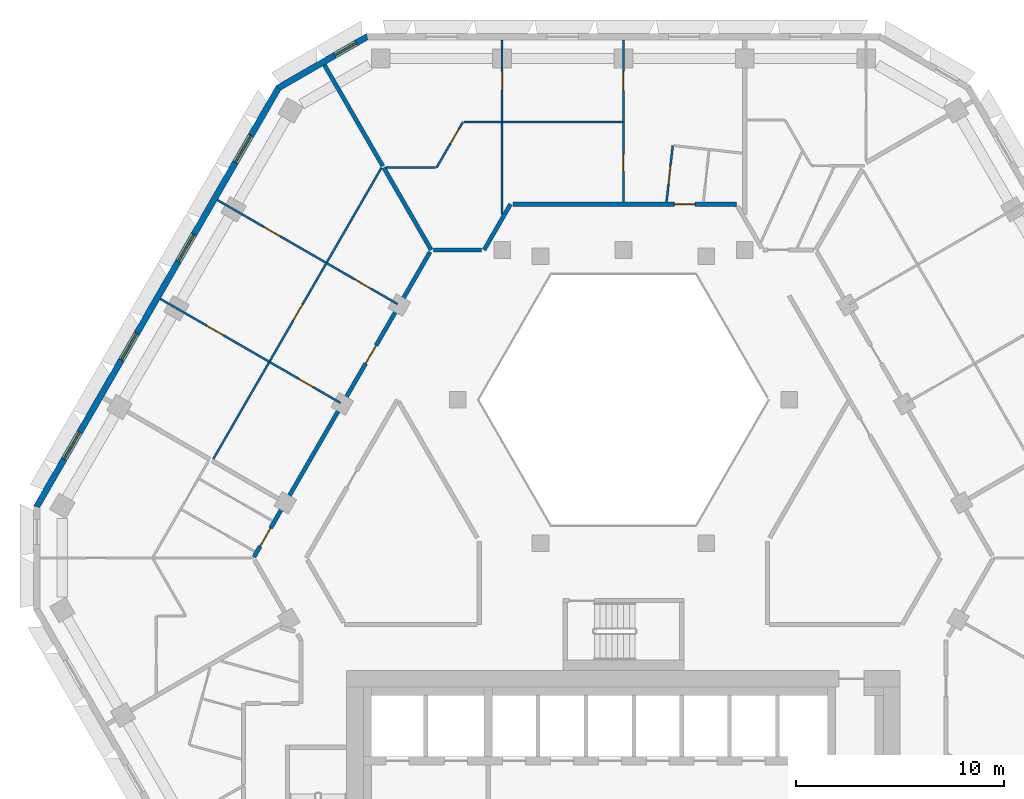
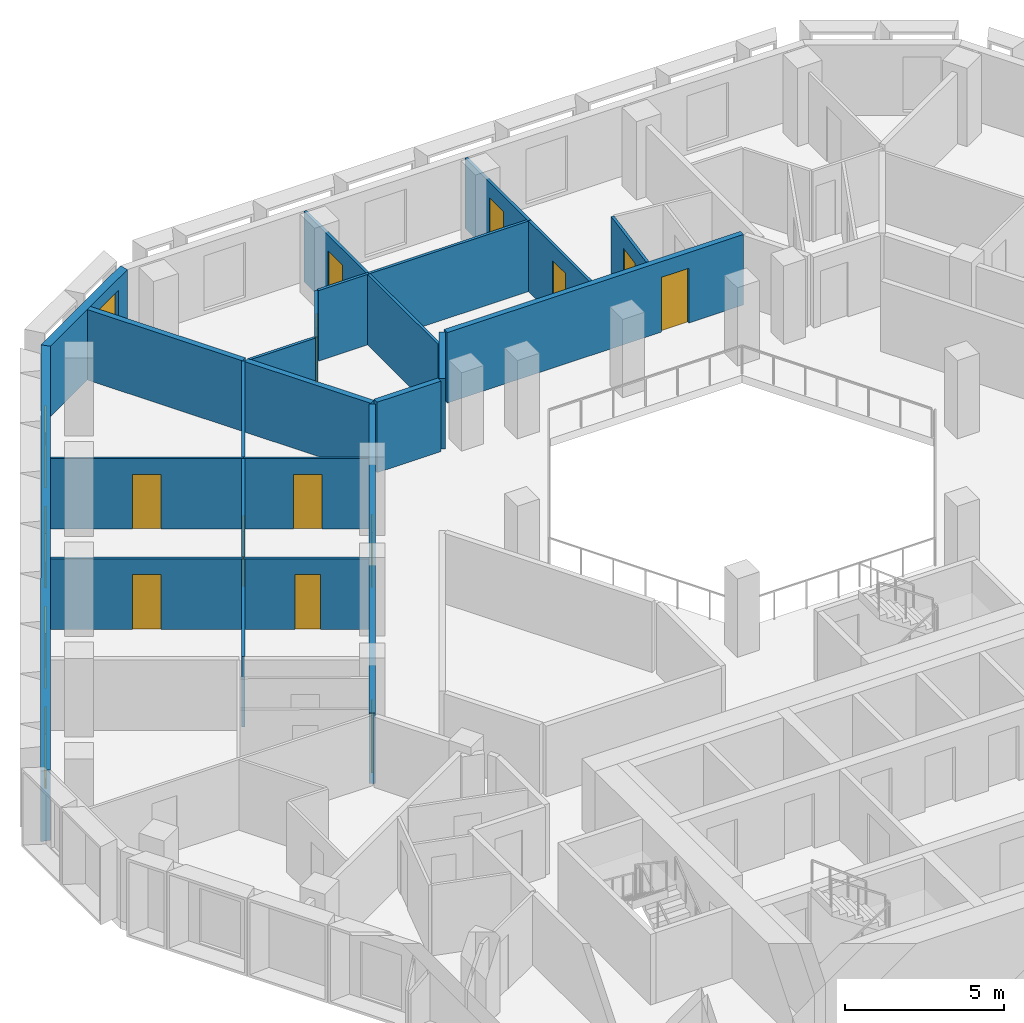
# One storey, part 7 of 15: 21 walls, 13 doors, 5 windows, 18 openings.
"""IFC4 building model written with IfcOpenShell, lengths in metres."""

import ifcopenshell
import ifcopenshell.guid

model = None  # the IFC model being written
_history = None  # IfcOwnerHistory: only IFC2X3 demands one
_inside = {}  # id of a spatial element -> (the spatial element, [elements in it])
_under = {}  # id of a project, library or spatial element -> (it, [spatial elements below it])
_declared = {}  # id of a project -> (the project, [libraries it declares])
_typed = {}  # id of a type object -> (the type object, [elements of that type])
_made_of = {}  # id of a material, layer set ... -> (it, [elements and type objects made of it])


def new_model(schema):
    """Start an empty IFC model of exactly this schema.

    Asked for "IFC4X3", IfcOpenShell would pick the latest addendum, in which some entities
    have other attributes; the version numbers below select the first issue.
    IFC2X3 requires an IfcOwnerHistory on every rooted entity: one is made here for all.
    """
    global model, _history
    if schema == "IFC4X3":
        model = ifcopenshell.file(schema_version=(4, 3, 0, 0))
    else:
        model = ifcopenshell.file(schema=schema)
    _inside.clear()
    _under.clear()
    _declared.clear()
    _typed.clear()
    _made_of.clear()
    _history = None
    if model.schema == "IFC2X3":
        org = make("IfcOrganization", Name="unknown")
        user = make(
            "IfcPersonAndOrganization",
            ThePerson=make("IfcPerson", FamilyName="unknown"),
            TheOrganization=org,
        )
        app = make(
            "IfcApplication",
            ApplicationDeveloper=org,
            Version="unknown",
            ApplicationFullName="unknown",
            ApplicationIdentifier="unknown",
        )
        _history = make(
            "IfcOwnerHistory",
            OwningUser=user,
            OwningApplication=app,
            ChangeAction="ADDED",
            CreationDate=0,
        )
    return model


def make(cls, **values):
    """One entity of the class cls with the attributes given. An attribute that is None is left unset."""
    return model.create_entity(
        cls, **{name: value for name, value in values.items() if value is not None}
    )


def rooted(cls, **values):
    """An entity with a GlobalId (a new one), such as an element, a storey or a relation."""
    return make(cls, GlobalId=ifcopenshell.guid.new(), OwnerHistory=_history, **values)


def si_unit(unit_type, name, prefix=None):
    """IfcSIUnit, for example si_unit("LENGTHUNIT", "METRE", prefix="MILLI")."""
    return make("IfcSIUnit", UnitType=unit_type, Prefix=prefix, Name=name)


def assignment(units):
    """IfcUnitAssignment: the units of a project."""
    return None if units is None else make("IfcUnitAssignment", Units=units)


def point(xyz):
    """IfcCartesianPoint."""
    return None if xyz is None else make("IfcCartesianPoint", Coordinates=xyz)


def direction(xyz):
    """IfcDirection."""
    return None if xyz is None else make("IfcDirection", DirectionRatios=xyz)


def frame(location, z_axis=None, x_axis=None):
    """IfcAxis2Placement3D, a coordinate frame: its origin and axes. An axis left out is left unset."""
    return make(
        "IfcAxis2Placement3D",
        Location=point(location),
        Axis=direction(z_axis),
        RefDirection=direction(x_axis),
    )


def frame_2d(location, x_axis=None):
    """IfcAxis2Placement2D, a coordinate frame in the plane: its origin and x axis."""
    return make(
        "IfcAxis2Placement2D", Location=point(location), RefDirection=direction(x_axis)
    )


def origin():
    """The frame at (0, 0, 0) with its axes left unset."""
    return frame((0.0, 0.0, 0.0))


def place(relative_to, where):
    """IfcLocalPlacement: puts the frame where relative to a parent placement (None: the world)."""
    return make(
        "IfcLocalPlacement", PlacementRelTo=relative_to, RelativePlacement=where
    )


def context(
    kind, dimensions, precision=None, world=None, true_north=None, identifier=None
):
    """IfcGeometricRepresentationContext, for example the 3D "Model" context."""
    return make(
        "IfcGeometricRepresentationContext",
        ContextIdentifier=identifier,
        ContextType=kind,
        CoordinateSpaceDimension=dimensions,
        Precision=precision,
        WorldCoordinateSystem=world,
        TrueNorth=true_north,
    )


def subcontext(parent, identifier, kind, view, scale=None):
    """IfcGeometricRepresentationSubContext, for example "Body" below "Model"."""
    return make(
        "IfcGeometricRepresentationSubContext",
        ContextIdentifier=identifier,
        ContextType=kind,
        ParentContext=parent,
        TargetScale=scale,
        TargetView=view,
    )


def project(units=None, contexts=None):
    """IfcProject with its units and contexts."""
    return rooted(
        "IfcProject",
        Name="project",
        RepresentationContexts=contexts,
        UnitsInContext=assignment(units),
    )


def spatial(cls, under=None, at=None, **own):
    """A site, building, storey or space (cls), placed at a placement, below another one or the project."""
    s = rooted(cls, ObjectPlacement=at, **own)
    if under is not None:
        _under.setdefault(under.id(), (under, []))[1].append(s)
    return s


def polyline(points):
    """IfcPolyline through the points."""
    return make("IfcPolyline", Points=[point(p) for p in points])


def profile(cls, at=None, kind="AREA", **sizes):
    """A parametric profile (cls). Its sizes go by their IFC names, for example OverallWidth=200.0."""
    return make(cls, ProfileType=kind, Position=at, **sizes)


def rectangle(**sizes):
    """IfcRectangleProfileDef."""
    return profile("IfcRectangleProfileDef", **sizes)


def outline(outer, holes=None, kind="AREA"):
    """IfcArbitraryClosedProfileDef: a profile drawn as a closed curve; with holes, ...WithVoids."""
    if holes is None:
        return make("IfcArbitraryClosedProfileDef", ProfileType=kind, OuterCurve=outer)
    return make(
        "IfcArbitraryProfileDefWithVoids",
        ProfileType=kind,
        OuterCurve=outer,
        InnerCurves=holes,
    )


def extrude(swept, where, along, depth):
    """IfcExtrudedAreaSolid: the profile swept, set in the frame where, extruded along a direction by depth."""
    return make(
        "IfcExtrudedAreaSolid",
        SweptArea=swept,
        Position=where,
        ExtrudedDirection=direction(along),
        Depth=depth,
    )


def shape(context_of_items, identifier, shape_type, items):
    """IfcShapeRepresentation: the items that make up one representation, for example the "Body"."""
    return make(
        "IfcShapeRepresentation",
        ContextOfItems=context_of_items,
        RepresentationIdentifier=identifier,
        RepresentationType=shape_type,
        Items=items,
    )


def material(Name=None, Category=None):
    """IfcMaterial."""
    return make("IfcMaterial", Name=Name, Category=Category)


def layer(
    of_material, thickness, ventilated=None, Name=None, Category=None, Priority=None
):
    """IfcMaterialLayer: one layer of a wall or slab, of a material (None: an air gap)."""
    return make(
        "IfcMaterialLayer",
        Material=of_material,
        LayerThickness=thickness,
        IsVentilated=ventilated,
        Name=Name,
        Category=Category,
        Priority=Priority,
    )


def layer_set(layers, Name=None):
    """IfcMaterialLayerSet."""
    return make("IfcMaterialLayerSet", MaterialLayers=layers, LayerSetName=Name)


def made_of(thing, what):
    """Note that an element or type object is made of a material, layer set ...; save() writes the relation."""
    if what is not None:
        _made_of.setdefault(what.id(), (what, []))[1].append(thing)
    return thing


def type_object(cls, material=None, **own):
    """A type object (cls), such as IfcWallType, which elements share."""
    return made_of(rooted(cls, **own), material)


def element(
    cls,
    number,
    at=None,
    inside=None,
    cuts=None,
    type_object=None,
    material=None,
    context=None,
    identifier="Body",
    shape_type=None,
    held_by="IfcProductDefinitionShape",
    body=None,
    shapes=None,
    **own,
):
    """One element of the class cls, such as IfcWall. Its Tag is "e" and its number.

    at: its placement. inside: the storey or other place that contains it. cuts: it is an
    opening in that element (IfcRelVoidsElement). A single representation is given by context,
    identifier, shape_type and body (its items); several are given by shapes. held_by: the class
    of the entity that holds the representations. save() writes the other relations.
    """
    e = rooted(cls, Tag="e%d" % number, ObjectPlacement=at, **own)
    if body is not None:
        shapes = [shape(context, identifier, shape_type, body)]
    if shapes is not None:
        e.Representation = make(held_by, Representations=shapes)
    if inside is not None:
        _inside.setdefault(inside.id(), (inside, []))[1].append(e)
    if cuts is not None:
        rooted(
            "IfcRelVoidsElement", RelatingBuildingElement=cuts, RelatedOpeningElement=e
        )
    if type_object is not None:
        _typed.setdefault(type_object.id(), (type_object, []))[1].append(e)
    return made_of(e, material)


def fill(opening, filler):
    """IfcRelFillsElement: the door or window that sits in an opening."""
    return rooted(
        "IfcRelFillsElement",
        RelatingOpeningElement=opening,
        RelatedBuildingElement=filler,
    )


def aggregate(whole, parts):
    """IfcRelAggregates: a whole, such as a stair, and the parts it consists of."""
    return rooted("IfcRelAggregates", RelatingObject=whole, RelatedObjects=parts)


def save(model, path):
    """Write the relations noted so far, then the file.

    IfcRelAggregates (storeys below a building ...), IfcRelContainedInSpatialStructure (elements
    in a storey), IfcRelDefinesByType, IfcRelAssociatesMaterial and IfcRelDeclares: one each for
    every whole, place, type object, material and project.
    """
    for whole, parts in _under.values():
        aggregate(whole, parts)
    for where, things in _inside.values():
        rooted(
            "IfcRelContainedInSpatialStructure",
            RelatedElements=things,
            RelatingStructure=where,
        )
    for kind, things in _typed.values():
        rooted("IfcRelDefinesByType", RelatedObjects=things, RelatingType=kind)
    for what, things in _made_of.values():
        rooted("IfcRelAssociatesMaterial", RelatedObjects=things, RelatingMaterial=what)
    for by, libraries in _declared.values():
        rooted("IfcRelDeclares", RelatingContext=by, RelatedDefinitions=libraries)
    model.write(path)


model = new_model("IFC4")

# Units and contexts
model_context = context("Model", 3, precision=1e-05, world=origin(), true_north=direction((0.0, 1.0)))
body_context = subcontext(model_context, "Body", "Model", "MODEL_VIEW")
ifc_project = project(units=[si_unit("LENGTHUNIT", "METRE"), si_unit("AREAUNIT", "SQUARE_METRE"), si_unit("VOLUMEUNIT", "CUBIC_METRE"), si_unit("PLANEANGLEUNIT", "RADIAN"), si_unit("MASSUNIT", "GRAM", prefix="KILO")], contexts=[model_context])

# Site, building, storey
site_placement = place(None, origin())
site = spatial("IfcSite", under=ifc_project, at=site_placement, CompositionType="ELEMENT")
building_placement = place(site_placement, origin())
building = spatial("IfcBuilding", under=site, at=building_placement, Name="Beryl Residences", CompositionType="ELEMENT")
storey_placement = place(building_placement, frame((0.0, 0.0, 123.60009765625)))
storey = spatial("IfcBuildingStorey", under=building, at=storey_placement, Name="L37", CompositionType="ELEMENT", Elevation=123.60009765625)

# Wall, opening, window
ifc_material_1 = material(Name="Composite metal panel with mineral wool insulation")
ifc_layer_1 = layer(ifc_material_1, 0.300048828125)
ifc_layer_set_1 = layer_set([ifc_layer_1], Name="ES1 pale metal composite panel wall 300 mm")
wall_type_1 = type_object("IfcWallType", Name="ES1 pale metal composite panel wall 300 mm", PredefinedType="SOLIDWALL", material=ifc_layer_set_1)
wall_1_placement = place(storey_placement, frame((-12.280029296875, 25.469970703125, 0.0), z_axis=(0.0, 0.0, 1.0), x_axis=(-0.866022959057, -0.500004234368, 0.0)))
wall_1 = element("IfcWall", 1, at=wall_1_placement, inside=storey, type_object=wall_type_1, Name="ES1 external wall L37 N-NW", PredefinedType="SOLIDWALL", context=body_context, shape_type="SweptSolid", body=[
    extrude(outline(polyline([(0.0, -0.14990234375), (5.0, -0.14990234375), (4.919677734375, 0.14990234375), (0.080322265625, 0.14990234375), (0.0, -0.14990234375)])), origin(), (0.0, 0.0, 1.0), 2.699951171875),
])
opening_1_placement = place(wall_1_placement, frame((0.64990234375, 0.0, 0.14990234375)))
opening_1 = element("IfcOpeningElement", 2, at=opening_1_placement, cuts=wall_1, Name="Opening W2", PredefinedType="OPENING", context=body_context, shape_type="SweptSolid", body=[
    extrude(rectangle(XDim=1.199951171875, YDim=2.10009765625, at=frame_2d((0.60009765625, 1.050048828125))), frame((0.0, 0.159912109375, 0.0), z_axis=(0.0, -1.0, 0.0), x_axis=(1.0, 0.0, 0.0)), (0.0, 0.0, 1.0), 0.320068359375),
])
ifc_material_2 = material(Name="Aluminium and clear glass", Category="aluminium")
window_type_1 = type_object("IfcWindowType", Name="W2 chamfer window 1200 x 2100 mm", PartitioningType="SINGLE_PANEL", PredefinedType="WINDOW", material=ifc_material_2)
window_1_placement = place(opening_1_placement, origin())
window_1 = element("IfcWindow", 3, at=window_1_placement, inside=storey, type_object=window_type_1, Name="W2 window L37 N-NW 1", OverallHeight=2.10009765625, OverallWidth=1.199951171875, PartitioningType="SINGLE_PANEL", PredefinedType="WINDOW", context=body_context, shape_type="SweptSolid", body=[
    extrude(rectangle(XDim=1.199951171875, YDim=2.10009765625, at=frame_2d((0.60009765625, 1.050048828125))), frame((0.0, 0.030029296875, 0.0), z_axis=(0.0, -1.0, 0.0), x_axis=(1.0, 0.0, 0.0)), (0.0, 0.0, 1.0), 0.06005859375),
])
fill(opening_1, window_1)

# Wall, openings, windows
wall_2_placement = place(storey_placement, frame((-16.554931640625, 23.02490234375, 0.0), z_axis=(0.0, 0.0, 1.0), x_axis=(-0.500020536353, -0.866013546791, 0.0)))
wall_2 = element("IfcWall", 4, at=wall_2_placement, inside=storey, type_object=wall_type_1, Name="ES1 external wall L37 NW", PredefinedType="SOLIDWALL", context=body_context, shape_type="SweptSolid", body=[
    extrude(outline(polyline([(0.0, -0.14990234375), (23.3251953125, -0.14990234375), (23.244873046875, 0.14990234375), (0.080322265625, 0.14990234375), (0.0, -0.14990234375)])), origin(), (0.0, 0.0, 1.0), 2.699951171875),
])
opening_2_placement = place(wall_2_placement, frame((2.68505859375, 0.0, 0.14990234375)))
opening_2 = element("IfcOpeningElement", 5, at=opening_2_placement, cuts=wall_2, Name="Opening W1", PredefinedType="OPENING", context=body_context, shape_type="SweptSolid", body=[
    extrude(rectangle(XDim=1.5, YDim=2.10009765625, at=frame_2d((0.75, 1.050048828125))), frame((0.0, 0.159912109375, 0.0), z_axis=(0.0, -1.0, 0.0), x_axis=(1.0, 0.0, 0.0)), (0.0, 0.0, 1.0), 0.320068359375),
])
opening_3_placement = place(wall_2_placement, frame((8.1708984375, 0.0, 0.14990234375)))
opening_3 = element("IfcOpeningElement", 6, at=opening_3_placement, cuts=wall_2, Name="Opening W1", PredefinedType="OPENING", context=body_context, shape_type="SweptSolid", body=[
    extrude(rectangle(XDim=1.5, YDim=2.10009765625, at=frame_2d((0.75, 1.050048828125))), frame((0.0, 0.159912109375, 0.0), z_axis=(0.0, -1.0, 0.0), x_axis=(1.0, 0.0, 0.0)), (0.0, 0.0, 1.0), 0.320068359375),
])
opening_4_placement = place(wall_2_placement, frame((13.655029296875, 0.0, 0.14990234375)))
opening_4 = element("IfcOpeningElement", 7, at=opening_4_placement, cuts=wall_2, Name="Opening W1", PredefinedType="OPENING", context=body_context, shape_type="SweptSolid", body=[
    extrude(rectangle(XDim=1.5, YDim=2.10009765625, at=frame_2d((0.75, 1.050048828125))), frame((0.0, 0.159912109375, 0.0), z_axis=(0.0, -1.0, 0.0), x_axis=(1.0, 0.0, 0.0)), (0.0, 0.0, 1.0), 0.320068359375),
])
opening_5_placement = place(wall_2_placement, frame((19.139892578125, 0.0, 0.14990234375)))
opening_5 = element("IfcOpeningElement", 8, at=opening_5_placement, cuts=wall_2, Name="Opening W1", PredefinedType="OPENING", context=body_context, shape_type="SweptSolid", body=[
    extrude(rectangle(XDim=1.5, YDim=2.10009765625, at=frame_2d((0.75, 1.050048828125))), frame((0.0, 0.159912109375, 0.0), z_axis=(0.0, -1.0, 0.0), x_axis=(1.0, 0.0, 0.0)), (0.0, 0.0, 1.0), 0.320068359375),
])
ifc_material_3 = material(Name="Aluminium and clear glass", Category="aluminium")
window_type_2 = type_object("IfcWindowType", Name="W1 cell window 1500 x 2100 mm", PartitioningType="SINGLE_PANEL", PredefinedType="WINDOW", material=ifc_material_3)
window_2_placement = place(opening_2_placement, origin())
window_2 = element("IfcWindow", 9, at=window_2_placement, inside=storey, type_object=window_type_2, Name="W1 window L37 NW 2", OverallHeight=2.10009765625, OverallWidth=1.5, PartitioningType="SINGLE_PANEL", PredefinedType="WINDOW", context=body_context, shape_type="SweptSolid", body=[
    extrude(rectangle(XDim=1.5, YDim=2.10009765625, at=frame_2d((0.75, 1.050048828125))), frame((0.0, 0.030029296875, 0.0), z_axis=(0.0, -1.0, 0.0), x_axis=(1.0, 0.0, 0.0)), (0.0, 0.0, 1.0), 0.06005859375),
])
fill(opening_2, window_2)
window_3_placement = place(opening_3_placement, origin())
window_3 = element("IfcWindow", 10, at=window_3_placement, inside=storey, type_object=window_type_2, Name="W1 window L37 NW 4", OverallHeight=2.10009765625, OverallWidth=1.5, PartitioningType="SINGLE_PANEL", PredefinedType="WINDOW", context=body_context, shape_type="SweptSolid", body=[
    extrude(rectangle(XDim=1.5, YDim=2.10009765625, at=frame_2d((0.75, 1.050048828125))), frame((0.0, 0.030029296875, 0.0), z_axis=(0.0, -1.0, 0.0), x_axis=(1.0, 0.0, 0.0)), (0.0, 0.0, 1.0), 0.06005859375),
])
fill(opening_3, window_3)
window_4_placement = place(opening_4_placement, origin())
window_4 = element("IfcWindow", 11, at=window_4_placement, inside=storey, type_object=window_type_2, Name="W1 window L37 NW 6", OverallHeight=2.10009765625, OverallWidth=1.5, PartitioningType="SINGLE_PANEL", PredefinedType="WINDOW", context=body_context, shape_type="SweptSolid", body=[
    extrude(rectangle(XDim=1.5, YDim=2.10009765625, at=frame_2d((0.75, 1.050048828125))), frame((0.0, 0.030029296875, 0.0), z_axis=(0.0, -1.0, 0.0), x_axis=(1.0, 0.0, 0.0)), (0.0, 0.0, 1.0), 0.06005859375),
])
fill(opening_4, window_4)
window_5_placement = place(opening_5_placement, origin())
window_5 = element("IfcWindow", 12, at=window_5_placement, inside=storey, type_object=window_type_2, Name="W1 window L37 NW 8", OverallHeight=2.10009765625, OverallWidth=1.5, PartitioningType="SINGLE_PANEL", PredefinedType="WINDOW", context=body_context, shape_type="SweptSolid", body=[
    extrude(rectangle(XDim=1.5, YDim=2.10009765625, at=frame_2d((0.75, 1.050048828125))), frame((0.0, 0.030029296875, 0.0), z_axis=(0.0, -1.0, 0.0), x_axis=(1.0, 0.0, 0.0)), (0.0, 0.0, 1.0), 0.06005859375),
])
fill(opening_5, window_5)

# Wall, opening, door
ifc_material_4 = material(Name="Gypsum board partition on steel studs", Category="steel")
ifc_layer_2 = layer(ifc_material_4, 0.10009765625)
ifc_layer_set_2 = layer_set([ifc_layer_2], Name="PT1 partition 100 mm gypsum board on steel studs")
wall_type_2 = type_object("IfcWallType", Name="PT1 partition 100 mm gypsum board on steel studs", PredefinedType="PARTITIONING", material=ifc_layer_set_2)
wall_3_placement = place(storey_placement, frame((0.0, 21.324951171875, 0.0), z_axis=(0.0, 0.0, 1.0), x_axis=(0.0, -1.0, 0.0)))
wall_3 = element("IfcWall", 13, at=wall_3_placement, inside=storey, type_object=wall_type_2, Name="Wall PT1 L37 007", PredefinedType="PARTITIONING", context=body_context, shape_type="SweptSolid", body=[
    extrude(rectangle(XDim=3.824951171875, YDim=0.10009765625, at=frame_2d((1.91259765625, 0.0))), origin(), (0.0, 0.0, 1.0), 2.699951171875),
])
opening_6_placement = place(wall_3_placement, frame((1.537109375, 0.0, 0.0)))
opening_6 = element("IfcOpeningElement", 14, at=opening_6_placement, cuts=wall_3, Name="Opening D1233", PredefinedType="OPENING", context=body_context, shape_type="SweptSolid", body=[
    extrude(rectangle(XDim=0.800048828125, YDim=2.10009765625, at=frame_2d((0.39990234375, 1.050048828125))), frame((0.0, 0.06005859375, 0.0), z_axis=(0.0, -1.0, 0.0), x_axis=(1.0, 0.0, 0.0)), (0.0, 0.0, 1.0), 0.1201171875),
])
ifc_material_5 = material(Name="Timber door leaf", Category="wood")
door_type_1 = type_object("IfcDoorType", Name="D3 bathroom door 800 x 2100 mm", OperationType="SINGLE_SWING_LEFT", PredefinedType="DOOR", material=ifc_material_5)
door_1_placement = place(opening_6_placement, origin())
door_1 = element("IfcDoor", 15, at=door_1_placement, inside=storey, type_object=door_type_1, Name="Door D1233 L37 001", OperationType="SINGLE_SWING_LEFT", OverallHeight=2.10009765625, OverallWidth=0.800048828125, PredefinedType="DOOR", context=body_context, shape_type="SweptSolid", body=[
    extrude(rectangle(XDim=0.800048828125, YDim=2.10009765625, at=frame_2d((0.39990234375, 1.050048828125))), frame((0.0, 0.02490234375, 0.0), z_axis=(0.0, -1.0, 0.0), x_axis=(1.0, 0.0, 0.0)), (0.0, 0.0, 1.0), 0.050048828125),
])
fill(opening_6, door_1)

wall_4_placement = place(storey_placement, frame((-22.257080078125, 12.85009765625, 0.0), z_axis=(0.0, 0.0, 1.0), x_axis=(0.866028448709, -0.499994725999, 0.0)))
wall_4 = element("IfcWall", 16, at=wall_4_placement, inside=storey, type_object=wall_type_2, Name="Wall PT1 L37 015", PredefinedType="PARTITIONING", context=body_context, shape_type="SweptSolid", body=[
    extrude(rectangle(XDim=6.05419921875, YDim=0.10009765625, at=frame_2d((3.027099609375, 0.0))), origin(), (0.0, 0.0, 1.0), 2.699951171875),
])
opening_7_placement = place(wall_4_placement, frame((2.576904296875, 0.0, 0.0)))
opening_7 = element("IfcOpeningElement", 17, at=opening_7_placement, cuts=wall_4, Name="Opening D1241", PredefinedType="OPENING", context=body_context, shape_type="SweptSolid", body=[
    extrude(rectangle(XDim=0.89990234375, YDim=2.10009765625, at=frame_2d((0.449951171875, 1.050048828125))), frame((0.0, 0.06005859375, 0.0), z_axis=(0.0, -1.0, 0.0), x_axis=(1.0, 0.0, 0.0)), (0.0, 0.0, 1.0), 0.1201171875),
])
ifc_material_6 = material(Name="Timber door leaf", Category="wood")
door_type_2 = type_object("IfcDoorType", Name="D2 room door 900 x 2100 mm", OperationType="SINGLE_SWING_LEFT", PredefinedType="DOOR", material=ifc_material_6)
door_2_placement = place(opening_7_placement, origin())
door_2 = element("IfcDoor", 18, at=door_2_placement, inside=storey, type_object=door_type_2, Name="Door D1241 L37 001", OperationType="SINGLE_SWING_LEFT", OverallHeight=2.10009765625, OverallWidth=0.89990234375, PredefinedType="DOOR", context=body_context, shape_type="SweptSolid", body=[
    extrude(rectangle(XDim=0.89990234375, YDim=2.10009765625, at=frame_2d((0.449951171875, 1.050048828125))), frame((0.0, 0.02490234375, 0.0), z_axis=(0.0, -1.0, 0.0), x_axis=(1.0, 0.0, 0.0)), (0.0, 0.0, 1.0), 0.050048828125),
])
fill(opening_7, door_2)

wall_5_placement = place(storey_placement, frame((-19.513916015625, 17.59912109375, 0.0), z_axis=(0.0, 0.0, 1.0), x_axis=(0.866088213453, -0.49989119468, 0.0)))
wall_5 = element("IfcWall", 19, at=wall_5_placement, inside=storey, type_object=wall_type_2, Name="Wall PT1 L37 017", PredefinedType="PARTITIONING", context=body_context, shape_type="SweptSolid", body=[
    extrude(rectangle(XDim=6.053466796875, YDim=0.10009765625, at=frame_2d((3.02685546875, 0.0))), origin(), (0.0, 0.0, 1.0), 2.699951171875),
])
opening_8_placement = place(wall_5_placement, frame((2.576904296875, 0.0, 0.0)))
opening_8 = element("IfcOpeningElement", 20, at=opening_8_placement, cuts=wall_5, Name="Opening D1242", PredefinedType="OPENING", context=body_context, shape_type="SweptSolid", body=[
    extrude(rectangle(XDim=0.89990234375, YDim=2.10009765625, at=frame_2d((0.449951171875, 1.050048828125))), frame((0.0, 0.06005859375, 0.0), z_axis=(0.0, -1.0, 0.0), x_axis=(1.0, 0.0, 0.0)), (0.0, 0.0, 1.0), 0.1201171875),
])
door_3_placement = place(opening_8_placement, origin())
door_3 = element("IfcDoor", 21, at=door_3_placement, inside=storey, type_object=door_type_2, Name="Door D1242 L37 001", OperationType="SINGLE_SWING_RIGHT", OverallHeight=2.10009765625, OverallWidth=0.89990234375, PredefinedType="DOOR", context=body_context, shape_type="SweptSolid", body=[
    extrude(rectangle(XDim=0.89990234375, YDim=2.10009765625, at=frame_2d((0.449951171875, 1.050048828125))), frame((0.0, 0.02490234375, 0.0), z_axis=(0.0, -1.0, 0.0), x_axis=(1.0, 0.0, 0.0)), (0.0, 0.0, 1.0), 0.050048828125),
])
fill(opening_8, door_3)

# Walls
wall_6_placement = place(storey_placement, frame((-11.405029296875, 19.155029296875, 0.0), z_axis=(0.0, 0.0, 1.0), x_axis=(1.0, 0.0, 0.0)))
element("IfcWall", 22, at=wall_6_placement, inside=storey, type_object=wall_type_2, Name="Wall PT1 L37 025", PredefinedType="PARTITIONING", context=body_context, shape_type="SweptSolid", body=[
    extrude(rectangle(XDim=2.366943359375, YDim=0.10009765625, at=frame_2d((1.18359375, 0.0))), origin(), (0.0, 0.0, 1.0), 2.699951171875),
])
wall_7_placement = place(storey_placement, frame((-7.652099609375, 21.35498046875, 0.0), z_axis=(0.0, 0.0, 1.0), x_axis=(1.0, 0.0, 0.0)))
element("IfcWall", 23, at=wall_7_placement, inside=storey, type_object=wall_type_2, Name="Wall PT1 L37 027", PredefinedType="PARTITIONING", context=body_context, shape_type="SweptSolid", body=[
    extrude(rectangle(XDim=1.821044921875, YDim=0.10009765625, at=frame_2d((0.91064453125, 0.0))), origin(), (0.0, 0.0, 1.0), 2.699951171875),
])

# Wall, opening, door
wall_8_placement = place(storey_placement, frame((-8.98095703125, 19.155029296875, 0.0), z_axis=(0.0, 0.0, 1.0), x_axis=(0.500130227609, 0.865950203783, 0.0)))
wall_8 = element("IfcWall", 24, at=wall_8_placement, inside=storey, type_object=wall_type_2, Name="Wall PT1 L37 030", PredefinedType="PARTITIONING", context=body_context, shape_type="SweptSolid", body=[
    extrude(rectangle(XDim=2.539306640625, YDim=0.10009765625, at=frame_2d((1.26953125, 0.0))), origin(), (0.0, 0.0, 1.0), 2.699951171875),
])
opening_9_placement = place(wall_8_placement, frame((1.340087890625, 0.0, 0.0)))
opening_9 = element("IfcOpeningElement", 25, at=opening_9_placement, cuts=wall_8, Name="Opening D1236", PredefinedType="OPENING", context=body_context, shape_type="SweptSolid", body=[
    extrude(rectangle(XDim=0.800048828125, YDim=2.10009765625, at=frame_2d((0.39990234375, 1.050048828125))), frame((0.0, 0.06005859375, 0.0), z_axis=(0.0, -1.0, 0.0), x_axis=(1.0, 0.0, 0.0)), (0.0, 0.0, 1.0), 0.1201171875),
])
door_4_placement = place(opening_9_placement, origin())
door_4 = element("IfcDoor", 26, at=door_4_placement, inside=storey, type_object=door_type_1, Name="Door D1236 L37 001", OperationType="SINGLE_SWING_RIGHT", OverallHeight=2.10009765625, OverallWidth=0.800048828125, PredefinedType="DOOR", context=body_context, shape_type="SweptSolid", body=[
    extrude(rectangle(XDim=0.800048828125, YDim=2.10009765625, at=frame_2d((0.39990234375, 1.050048828125))), frame((0.0, 0.02490234375, 0.0), z_axis=(0.0, -1.0, 0.0), x_axis=(1.0, 0.0, 0.0)), (0.0, 0.0, 1.0), 0.050048828125),
])
fill(opening_9, door_4)

wall_9_placement = place(storey_placement, frame((-19.7060546875, 5.159912109375, 0.0), z_axis=(0.0, 0.0, 1.0), x_axis=(0.500003799672, 0.866023210032, 0.0)))
wall_9 = element("IfcWall", 27, at=wall_9_placement, inside=storey, type_object=wall_type_2, Name="Wall PT1 L37 031", PredefinedType="PARTITIONING", context=body_context, shape_type="SweptSolid", body=[
    extrude(rectangle(XDim=16.149658203125, YDim=0.10009765625, at=frame_2d((8.07470703125, 0.0))), origin(), (0.0, 0.0, 1.0), 2.699951171875),
])
opening_10_placement = place(wall_9_placement, frame((7.677001953125, 0.0, 0.0)))
opening_10 = element("IfcOpeningElement", 28, at=opening_10_placement, cuts=wall_9, Name="Opening D1238", PredefinedType="OPENING", context=body_context, shape_type="SweptSolid", body=[
    extrude(rectangle(XDim=0.89990234375, YDim=2.10009765625, at=frame_2d((0.449951171875, 1.050048828125))), frame((0.0, 0.06005859375, 0.0), z_axis=(0.0, -1.0, 0.0), x_axis=(1.0, 0.0, 0.0)), (0.0, 0.0, 1.0), 0.1201171875),
])
door_5_placement = place(opening_10_placement, origin())
door_5 = element("IfcDoor", 29, at=door_5_placement, inside=storey, type_object=door_type_2, Name="Door D1238 L37 001", OperationType="SINGLE_SWING_RIGHT", OverallHeight=2.10009765625, OverallWidth=0.89990234375, PredefinedType="DOOR", context=body_context, shape_type="SweptSolid", body=[
    extrude(rectangle(XDim=0.89990234375, YDim=2.10009765625, at=frame_2d((0.449951171875, 1.050048828125))), frame((0.0, 0.02490234375, 0.0), z_axis=(0.0, -1.0, 0.0), x_axis=(1.0, 0.0, 0.0)), (0.0, 0.0, 1.0), 0.050048828125),
])
fill(opening_10, door_5)

wall_10_placement = place(storey_placement, frame((2.070068359375, 17.5, 0.0), z_axis=(0.0, 0.0, 1.0), x_axis=(0.108970694085, 0.994044962681, 0.0)))
wall_10 = element("IfcWall", 30, at=wall_10_placement, inside=storey, type_object=wall_type_2, Name="Wall PT1 L37 036", PredefinedType="PARTITIONING", context=body_context, shape_type="SweptSolid", body=[
    extrude(rectangle(XDim=2.7333984375, YDim=0.10009765625, at=frame_2d((1.36669921875, 0.0))), origin(), (0.0, 0.0, 1.0), 2.699951171875),
])
opening_11_placement = place(wall_10_placement, frame((0.866943359375, 0.0, 0.0)))
opening_11 = element("IfcOpeningElement", 31, at=opening_11_placement, cuts=wall_10, Name="Opening D1231", PredefinedType="OPENING", context=body_context, shape_type="SweptSolid", body=[
    extrude(rectangle(XDim=0.89990234375, YDim=2.10009765625, at=frame_2d((0.449951171875, 1.050048828125))), frame((0.0, 0.06005859375, 0.0), z_axis=(0.0, -1.0, 0.0), x_axis=(1.0, 0.0, 0.0)), (0.0, 0.0, 1.0), 0.1201171875),
])
door_6_placement = place(opening_11_placement, origin())
door_6 = element("IfcDoor", 32, at=door_6_placement, inside=storey, type_object=door_type_2, Name="Door D1231 L37 001", OperationType="SINGLE_SWING_LEFT", OverallHeight=2.10009765625, OverallWidth=0.89990234375, PredefinedType="DOOR", context=body_context, shape_type="SweptSolid", body=[
    extrude(rectangle(XDim=0.89990234375, YDim=2.10009765625, at=frame_2d((0.449951171875, 1.050048828125))), frame((0.0, 0.02490234375, 0.0), z_axis=(0.0, -1.0, 0.0), x_axis=(1.0, 0.0, 0.0)), (0.0, 0.0, 1.0), 0.050048828125),
])
fill(opening_11, door_6)

wall_11_placement = place(storey_placement, frame((0.0, 21.3349609375, 0.0), z_axis=(0.0, 0.0, 1.0), x_axis=(0.0, 1.0, 0.0)))
wall_11 = element("IfcWall", 33, at=wall_11_placement, inside=storey, type_object=wall_type_2, Name="Wall PT1 L37 043", PredefinedType="PARTITIONING", context=body_context, shape_type="SweptSolid", body=[
    extrude(rectangle(XDim=3.965087890625, YDim=0.10009765625, at=frame_2d((1.982421875, 0.0))), origin(), (0.0, 0.0, 1.0), 2.699951171875),
])
opening_12_placement = place(wall_11_placement, frame((1.532958984375, 0.0, 0.0)))
opening_12 = element("IfcOpeningElement", 34, at=opening_12_placement, cuts=wall_11, Name="Opening D1234", PredefinedType="OPENING", context=body_context, shape_type="SweptSolid", body=[
    extrude(rectangle(XDim=0.89990234375, YDim=2.10009765625, at=frame_2d((0.449951171875, 1.050048828125))), frame((0.0, 0.06005859375, 0.0), z_axis=(0.0, -1.0, 0.0), x_axis=(1.0, 0.0, 0.0)), (0.0, 0.0, 1.0), 0.1201171875),
])
door_7_placement = place(opening_12_placement, origin())
door_7 = element("IfcDoor", 35, at=door_7_placement, inside=storey, type_object=door_type_2, Name="Door D1234 L37 001", OperationType="SINGLE_SWING_RIGHT", OverallHeight=2.10009765625, OverallWidth=0.89990234375, PredefinedType="DOOR", context=body_context, shape_type="SweptSolid", body=[
    extrude(rectangle(XDim=0.89990234375, YDim=2.10009765625, at=frame_2d((0.449951171875, 1.050048828125))), frame((0.0, 0.02490234375, 0.0), z_axis=(0.0, -1.0, 0.0), x_axis=(1.0, 0.0, 0.0)), (0.0, 0.0, 1.0), 0.050048828125),
])
fill(opening_12, door_7)

wall_12_placement = place(storey_placement, frame((-5.8310546875, 16.89990234375, 0.0), z_axis=(0.0, 0.0, 1.0), x_axis=(0.0, 1.0, 0.0)))
wall_12 = element("IfcWall", 36, at=wall_12_placement, inside=storey, type_object=wall_type_2, Name="Wall PT1 L37 045", PredefinedType="PARTITIONING", context=body_context, shape_type="SweptSolid", body=[
    extrude(rectangle(XDim=8.400146484375, YDim=0.10009765625, at=frame_2d((4.2001953125, 0.0))), origin(), (0.0, 0.0, 1.0), 2.699951171875),
])
opening_13_placement = place(wall_12_placement, frame((5.97705078125, 0.0, 0.0)))
opening_13 = element("IfcOpeningElement", 37, at=opening_13_placement, cuts=wall_12, Name="Opening D1235", PredefinedType="OPENING", context=body_context, shape_type="SweptSolid", body=[
    extrude(rectangle(XDim=0.89990234375, YDim=2.10009765625, at=frame_2d((0.449951171875, 1.050048828125))), frame((0.0, 0.06005859375, 0.0), z_axis=(0.0, -1.0, 0.0), x_axis=(1.0, 0.0, 0.0)), (0.0, 0.0, 1.0), 0.1201171875),
])
door_8_placement = place(opening_13_placement, origin())
door_8 = element("IfcDoor", 38, at=door_8_placement, inside=storey, type_object=door_type_2, Name="Door D1235 L37 001", OperationType="SINGLE_SWING_LEFT", OverallHeight=2.10009765625, OverallWidth=0.89990234375, PredefinedType="DOOR", context=body_context, shape_type="SweptSolid", body=[
    extrude(rectangle(XDim=0.89990234375, YDim=2.10009765625, at=frame_2d((0.449951171875, 1.050048828125))), frame((0.0, 0.02490234375, 0.0), z_axis=(0.0, -1.0, 0.0), x_axis=(1.0, 0.0, 0.0)), (0.0, 0.0, 1.0), 0.050048828125),
])
fill(opening_13, door_8)

wall_13_placement = place(storey_placement, frame((-17.013916015625, 9.822998046875, 0.0), z_axis=(0.0, 0.0, 1.0), x_axis=(0.866076396086, -0.499911668341, 0.0)))
wall_13 = element("IfcWall", 39, at=wall_13_placement, inside=storey, type_object=wall_type_2, Name="Wall PT1 L37 055", PredefinedType="PARTITIONING", context=body_context, shape_type="SweptSolid", body=[
    extrude(rectangle(XDim=3.946533203125, YDim=0.10009765625, at=frame_2d((1.97314453125, 0.0))), origin(), (0.0, 0.0, 1.0), 2.699951171875),
])
opening_14_placement = place(wall_13_placement, frame((1.623046875, 0.0, 0.0)))
opening_14 = element("IfcOpeningElement", 40, at=opening_14_placement, cuts=wall_13, Name="Opening D1240", PredefinedType="OPENING", context=body_context, shape_type="SweptSolid", body=[
    extrude(rectangle(XDim=0.800048828125, YDim=2.10009765625, at=frame_2d((0.39990234375, 1.050048828125))), frame((0.0, 0.06005859375, 0.0), z_axis=(0.0, -1.0, 0.0), x_axis=(1.0, 0.0, 0.0)), (0.0, 0.0, 1.0), 0.1201171875),
])
door_9_placement = place(opening_14_placement, origin())
door_9 = element("IfcDoor", 41, at=door_9_placement, inside=storey, type_object=door_type_1, Name="Door D1240 L37 001", OperationType="SINGLE_SWING_RIGHT", OverallHeight=2.10009765625, OverallWidth=0.800048828125, PredefinedType="DOOR", context=body_context, shape_type="SweptSolid", body=[
    extrude(rectangle(XDim=0.800048828125, YDim=2.10009765625, at=frame_2d((0.39990234375, 1.050048828125))), frame((0.0, 0.02490234375, 0.0), z_axis=(0.0, -1.0, 0.0), x_axis=(1.0, 0.0, 0.0)), (0.0, 0.0, 1.0), 0.050048828125),
])
fill(opening_14, door_9)

wall_14_placement = place(storey_placement, frame((-14.27099609375, 14.572998046875, 0.0), z_axis=(0.0, 0.0, 1.0), x_axis=(0.866014535457, -0.500018824023, 0.0)))
wall_14 = element("IfcWall", 42, at=wall_14_placement, inside=storey, type_object=wall_type_2, Name="Wall PT1 L37 056", PredefinedType="PARTITIONING", context=body_context, shape_type="SweptSolid", body=[
    extrude(rectangle(XDim=3.945556640625, YDim=0.10009765625, at=frame_2d((1.97265625, 0.0))), origin(), (0.0, 0.0, 1.0), 2.699951171875),
])
opening_15_placement = place(wall_14_placement, frame((1.573974609375, 0.0, 0.0)))
opening_15 = element("IfcOpeningElement", 43, at=opening_15_placement, cuts=wall_14, Name="Opening D1239", PredefinedType="OPENING", context=body_context, shape_type="SweptSolid", body=[
    extrude(rectangle(XDim=0.89990234375, YDim=2.10009765625, at=frame_2d((0.449951171875, 1.050048828125))), frame((0.0, 0.06005859375, 0.0), z_axis=(0.0, -1.0, 0.0), x_axis=(1.0, 0.0, 0.0)), (0.0, 0.0, 1.0), 0.1201171875),
])
door_10_placement = place(opening_15_placement, origin())
door_10 = element("IfcDoor", 44, at=door_10_placement, inside=storey, type_object=door_type_2, Name="Door D1239 L37 001", OperationType="SINGLE_SWING_LEFT", OverallHeight=2.10009765625, OverallWidth=0.89990234375, PredefinedType="DOOR", context=body_context, shape_type="SweptSolid", body=[
    extrude(rectangle(XDim=0.89990234375, YDim=2.10009765625, at=frame_2d((0.449951171875, 1.050048828125))), frame((0.0, 0.02490234375, 0.0), z_axis=(0.0, -1.0, 0.0), x_axis=(1.0, 0.0, 0.0)), (0.0, 0.0, 1.0), 0.050048828125),
])
fill(opening_15, door_10)

# Walls
wall_15_placement = place(storey_placement, frame((-5.8310546875, 21.35498046875, 0.0), z_axis=(0.0, 0.0, 1.0), x_axis=(1.0, 0.0, 0.0)))
element("IfcWall", 45, at=wall_15_placement, inside=storey, type_object=wall_type_2, Name="Wall PT1 L37 057", PredefinedType="PARTITIONING", context=body_context, shape_type="SweptSolid", body=[
    extrude(rectangle(XDim=5.781005859375, YDim=0.10009765625, at=frame_2d((2.890625, 0.0))), origin(), (0.0, 0.0, 1.0), 2.699951171875),
])
ifc_material_7 = material(Name="Acoustic double stud gypsum board wall")
ifc_layer_3 = layer(ifc_material_7, 0.199951171875)
ifc_layer_set_3 = layer_set([ifc_layer_3], Name="PT3 party wall 200 mm acoustic double stud")
wall_type_3 = type_object("IfcWallType", Name="PT3 party wall 200 mm acoustic double stud", PredefinedType="PARTITIONING", material=ifc_layer_set_3)
wall_16_placement = place(storey_placement, frame((-14.3701171875, 24.090087890625, 0.0), z_axis=(0.0, 0.0, 1.0), x_axis=(0.499982088007, -0.866035745032, 0.0)))
element("IfcWall", 46, at=wall_16_placement, inside=storey, type_object=wall_type_3, Name="Wall PT3 L37 001", PredefinedType="PARTITIONING", context=body_context, shape_type="SweptSolid", body=[
    extrude(rectangle(XDim=5.616455078125, YDim=0.199951171875, at=frame_2d((2.80810546875, 0.0))), origin(), (0.0, 0.0, 1.0), 2.699951171875),
])
wall_17_placement = place(storey_placement, frame((-11.52001953125, 19.155029296875, 0.0), z_axis=(0.0, 0.0, 1.0), x_axis=(0.499916824138, -0.866073420066, 0.0)))
element("IfcWall", 47, at=wall_17_placement, inside=storey, type_object=wall_type_3, Name="Wall PT3 L37 002", PredefinedType="PARTITIONING", context=body_context, shape_type="SweptSolid", body=[
    extrude(rectangle(XDim=4.566650390625, YDim=0.199951171875, at=frame_2d((2.283203125, 0.0))), origin(), (0.0, 0.0, 1.0), 2.699951171875),
])
ifc_material_8 = material(Name="Double stud gypsum board wall")
ifc_layer_4 = layer(ifc_material_8, 0.199951171875)
ifc_layer_set_4 = layer_set([ifc_layer_4], Name="PT4 corridor wall 200 mm double stud")
wall_type_4 = type_object("IfcWallType", Name="PT4 corridor wall 200 mm double stud", PredefinedType="PARTITIONING", material=ifc_layer_set_4)
wall_18_placement = place(storey_placement, frame((-9.12109375, 15.199951171875, 0.0), z_axis=(0.0, 0.0, 1.0), x_axis=(1.0, 0.0, 0.0)))
element("IfcWall", 48, at=wall_18_placement, inside=storey, type_object=wall_type_4, Name="Wall PT4 L37 015", PredefinedType="PARTITIONING", context=body_context, shape_type="SweptSolid", body=[
    extrude(rectangle(XDim=2.30810546875, YDim=0.199951171875, at=frame_2d((1.154052734375, 0.0))), origin(), (0.0, 0.0, 1.0), 2.699951171875),
])

# Wall, opening, door
wall_19_placement = place(storey_placement, frame((-5.31103515625, 17.39990234375, 0.0), z_axis=(0.0, 0.0, 1.0), x_axis=(1.0, 0.0, 0.0)))
wall_19 = element("IfcWall", 49, at=wall_19_placement, inside=storey, type_object=wall_type_4, Name="Wall PT4 L37 017", PredefinedType="PARTITIONING", context=body_context, shape_type="SweptSolid", body=[
    extrude(rectangle(XDim=10.738037109375, YDim=0.199951171875, at=frame_2d((5.369140625, 0.0))), origin(), (0.0, 0.0, 1.0), 2.699951171875),
])
opening_16_placement = place(wall_19_placement, frame((7.758056640625, 0.0, 0.0)))
opening_16 = element("IfcOpeningElement", 50, at=opening_16_placement, cuts=wall_19, Name="Opening D1230", PredefinedType="OPENING", context=body_context, shape_type="SweptSolid", body=[
    extrude(rectangle(XDim=1.0, YDim=2.10009765625, at=frame_2d((0.5, 1.050048828125))), frame((0.0, 0.10986328125, 0.0), z_axis=(0.0, -1.0, 0.0), x_axis=(1.0, 0.0, 0.0)), (0.0, 0.0, 1.0), 0.219970703125),
])
ifc_material_9 = material(Name="Timber door leaf", Category="wood")
door_type_3 = type_object("IfcDoorType", Name="D1 flat entrance door 1000 x 2100 mm", OperationType="SINGLE_SWING_LEFT", PredefinedType="DOOR", material=ifc_material_9)
door_11_placement = place(opening_16_placement, origin())
door_11 = element("IfcDoor", 51, at=door_11_placement, inside=storey, type_object=door_type_3, Name="Door D1230 L37 001", OperationType="SINGLE_SWING_RIGHT", OverallHeight=2.10009765625, OverallWidth=1.0, PredefinedType="DOOR", context=body_context, shape_type="SweptSolid", body=[
    extrude(rectangle(XDim=1.0, YDim=2.10009765625, at=frame_2d((0.5, 1.050048828125))), frame((0.0, 0.02490234375, 0.0), z_axis=(0.0, -1.0, 0.0), x_axis=(1.0, 0.0, 0.0)), (0.0, 0.0, 1.0), 0.050048828125),
])
fill(opening_16, door_11)

# Wall
wall_20_placement = place(storey_placement, frame((-6.697021484375, 15.199951171875, 0.0), z_axis=(0.0, 0.0, 1.0), x_axis=(0.499963722229, 0.866046347752, 0.0)))
element("IfcWall", 52, at=wall_20_placement, inside=storey, type_object=wall_type_4, Name="Wall PT4 L37 022", PredefinedType="PARTITIONING", context=body_context, shape_type="SweptSolid", body=[
    extrude(rectangle(XDim=2.540283203125, YDim=0.199951171875, at=frame_2d((1.27001953125, 0.0))), origin(), (0.0, 0.0, 1.0), 2.699951171875),
])

# Wall, openings, doors
wall_21_placement = place(storey_placement, frame((-17.7529296875, 0.449951171875, 0.0), z_axis=(0.0, 0.0, 1.0), x_axis=(0.499988552313, 0.866032013009, 0.0)))
wall_21 = element("IfcWall", 53, at=wall_21_placement, inside=storey, type_object=wall_type_4, Name="Wall PT4 L37 023", PredefinedType="PARTITIONING", context=body_context, shape_type="SweptSolid", body=[
    extrude(rectangle(XDim=16.91650390625, YDim=0.199951171875, at=frame_2d((8.458251953125, 0.0))), origin(), (0.0, 0.0, 1.0), 2.699951171875),
])
opening_17_placement = place(wall_21_placement, frame((10.72998046875, 0.0, 0.0)))
opening_17 = element("IfcOpeningElement", 54, at=opening_17_placement, cuts=wall_21, Name="Opening D1237", PredefinedType="OPENING", context=body_context, shape_type="SweptSolid", body=[
    extrude(rectangle(XDim=1.0, YDim=2.10009765625, at=frame_2d((0.5, 1.050048828125))), frame((0.0, 0.10986328125, 0.0), z_axis=(0.0, -1.0, 0.0), x_axis=(1.0, 0.0, 0.0)), (0.0, 0.0, 1.0), 0.219970703125),
])
opening_18_placement = place(wall_21_placement, frame((0.593994140625, 0.0, 0.0)))
opening_18 = element("IfcOpeningElement", 55, at=opening_18_placement, cuts=wall_21, Name="Opening D1243", PredefinedType="OPENING", context=body_context, shape_type="SweptSolid", body=[
    extrude(rectangle(XDim=1.0, YDim=2.10009765625, at=frame_2d((0.5, 1.050048828125))), frame((0.0, 0.10986328125, 0.0), z_axis=(0.0, -1.0, 0.0), x_axis=(1.0, 0.0, 0.0)), (0.0, 0.0, 1.0), 0.219970703125),
])
door_12_placement = place(opening_17_placement, origin())
door_12 = element("IfcDoor", 56, at=door_12_placement, inside=storey, type_object=door_type_3, Name="Door D1237 L37 001", OperationType="SINGLE_SWING_LEFT", OverallHeight=2.10009765625, OverallWidth=1.0, PredefinedType="DOOR", context=body_context, shape_type="SweptSolid", body=[
    extrude(rectangle(XDim=1.0, YDim=2.10009765625, at=frame_2d((0.5, 1.050048828125))), frame((0.0, 0.02490234375, 0.0), z_axis=(0.0, -1.0, 0.0), x_axis=(1.0, 0.0, 0.0)), (0.0, 0.0, 1.0), 0.050048828125),
])
fill(opening_17, door_12)
door_13_placement = place(opening_18_placement, origin())
door_13 = element("IfcDoor", 57, at=door_13_placement, inside=storey, type_object=door_type_3, Name="Door D1243 L37 001", OperationType="SINGLE_SWING_LEFT", OverallHeight=2.10009765625, OverallWidth=1.0, PredefinedType="DOOR", context=body_context, shape_type="SweptSolid", body=[
    extrude(rectangle(XDim=1.0, YDim=2.10009765625, at=frame_2d((0.5, 1.050048828125))), frame((0.0, 0.02490234375, 0.0), z_axis=(0.0, -1.0, 0.0), x_axis=(1.0, 0.0, 0.0)), (0.0, 0.0, 1.0), 0.050048828125),
])
fill(opening_18, door_13)

save(model, "model.ifc")
